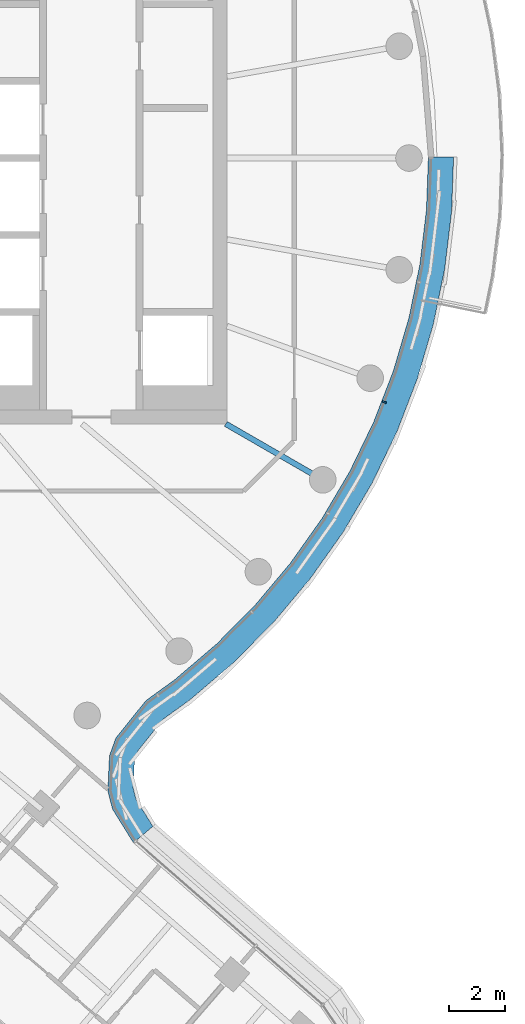
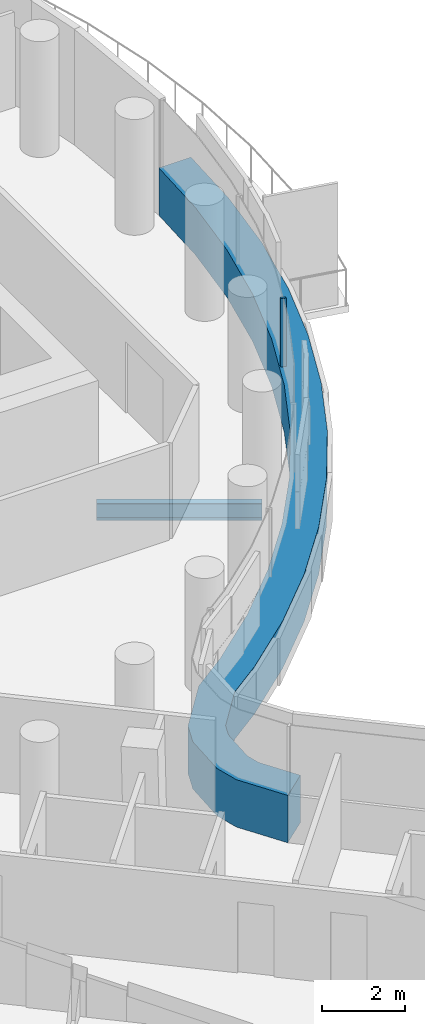
# One storey, part 8 of 32: 2 members, 1 beam, 1 element without a shape of its own.
"""IFC4 building model written with IfcOpenShell, lengths in metres."""

from ifc_helpers import new_model, si_unit, direction, frame, origin, origin_2d, place, context, subcontext, project, spatial, polyline, rectangle, i_section, outline, extrude, material, layer, layer_set, material_profile, profile_set, type_object, element, aggregate, save


model = new_model("IFC4")

# Units and contexts
model_context = context("Model", 3, precision=1e-05, world=origin(), true_north=direction((0.0, 1.0)))
body_context = subcontext(model_context, "Body", "Model", "MODEL_VIEW")
ifc_project = project(units=[si_unit("LENGTHUNIT", "METRE"), si_unit("AREAUNIT", "SQUARE_METRE"), si_unit("VOLUMEUNIT", "CUBIC_METRE"), si_unit("PLANEANGLEUNIT", "RADIAN"), si_unit("MASSUNIT", "GRAM", prefix="KILO")], contexts=[model_context])

# Site, building, storey
site_placement = place(None, origin())
site = spatial("IfcSite", under=ifc_project, at=site_placement, CompositionType="ELEMENT")
building_placement = place(site_placement, origin())
building = spatial("IfcBuilding", under=site, at=building_placement, Name="Tamarind Cross Interchange Tower", CompositionType="ELEMENT")
storey_placement = place(building_placement, frame((0.0, 0.0, 211.300048828125)))
storey = spatial("IfcBuildingStorey", under=building, at=storey_placement, Name="L53", CompositionType="ELEMENT", Elevation=211.300048828125)

# Beam
ifc_material_1 = material(Name="Steel Q355B", Category="steel")
ifc_material_profile_1 = material_profile(ifc_material_1, i_section(OverallWidth=0.198974609375, OverallDepth=0.49609375, WebThickness=0.009033203125, FlangeThickness=0.013916015625, FilletRadius=0.012939453125, at=origin_2d()), Name="HN 496x199x9x14")
ifc_profile_set_1 = profile_set([ifc_material_profile_1], Name="Steel Q355B")
beam_type = type_object("IfcBeamType", Name="Composite beam HN 496x199x9x14 Q355B", PredefinedType="BEAM", material=ifc_profile_set_1)
beam_placement = place(storey_placement, frame((19.918701171875, -11.5, -0.387939453125), z_axis=(-0.866026010844, 0.49999894854, 0.0), x_axis=(-0.49999894854, -0.866026010844, 0.0)))
element("IfcBeam", 1, at=beam_placement, inside=storey, type_object=beam_type, Name="Beam HH33", PredefinedType="BEAM", context=body_context, shape_type="SweptSolid", body=[
    extrude(i_section(OverallWidth=0.198974609375, OverallDepth=0.49609375, WebThickness=0.009033203125, FlangeThickness=0.013916015625, FilletRadius=0.012939453125, at=origin_2d()), origin(), (0.0, 0.0, 1.0), 4.0),
])

# Curtain wall, members
ifc_material_2 = material(Name="Aluminium 6063-T6", Category="aluminium")
ifc_layer = layer(ifc_material_2, 0.139892578125)
ifc_layer_set = layer_set([ifc_layer], Name="Aluminium 6063-T6")
curtain_wall_type = type_object("IfcCurtainWallType", Name="Hotel curtain wall, 4.5 m bays", PredefinedType="NOTDEFINED", material=ifc_layer_set)
curtain_wall_placement = place(storey_placement, origin())
curtain_wall = element("IfcCurtainWall", 2, at=curtain_wall_placement, inside=storey, type_object=curtain_wall_type, Name="CWS-L53-06", PredefinedType="NOTDEFINED")
ifc_material_3 = material(Name="Aluminium and insulated spandrel panel", Category="aluminium")
member_type_1 = type_object("IfcMemberType", Name="Floor-edge blade transom", PredefinedType="USERDEFINED", material=ifc_material_3)
member_1_placement = place(storey_placement, origin())
member_1 = element("IfcMember", 3, at=member_1_placement, type_object=member_type_1, Name="CWT-L53-06-0", ObjectType="TRANSOM", PredefinedType="USERDEFINED", context=body_context, shape_type="SweptSolid", body=[
    extrude(outline(polyline([(13.15478515625, -24.4697265625), (12.407470703125, -23.2666015625), (12.238525390625, -22.6171875), (12.2978515625, -21.354248046875), (12.528076171875, -20.719482421875), (13.6005859375, -19.385498046875), (14.63427734375, -18.63671875), (16.12353515625, -17.3642578125), (17.50244140625, -15.973388671875), (18.76171875, -14.4736328125), (19.892822265625, -12.874755859375), (20.88818359375, -11.188232421875), (21.74072265625, -9.425048828125), (22.444580078125, -7.597412109375), (22.995361328125, -5.718017578125), (23.38916015625, -3.799560546875), (23.623046875, -1.855224609375), (23.69287109375, 0.030517578125), (24.593505859375, 0.031494140625), (24.52099609375, -1.925537109375), (24.2783203125, -3.944091796875), (23.86962890625, -5.935302734375), (23.2978515625, -7.88623046875), (22.567138671875, -9.783203125), (21.68212890625, -11.613525390625), (20.64892578125, -13.3642578125), (19.474853515625, -15.023681640625), (18.167724609375, -16.580810546875), (16.736572265625, -18.0244140625), (15.19140625, -19.344482421875), (14.226318359375, -20.04345703125), (13.3232421875, -21.1669921875), (13.1904296875, -21.532958984375), (13.14404296875, -22.52294921875), (13.244140625, -22.907958984375), (13.848388671875, -23.880859375), (13.15478515625, -24.4697265625)])), origin(), (0.0, 0.0, 1.0), 1.39990234375),
])
ifc_material_profile_2 = material_profile(ifc_material_2, rectangle(XDim=0.06005859375, YDim=0.139892578125, at=origin_2d()), Name="Mullion CW2")
ifc_profile_set_2 = profile_set([ifc_material_profile_2], Name="Aluminium 6063-T6")
member_type_2 = type_object("IfcMemberType", Name="Mullion CW2", PredefinedType="MULLION", material=ifc_profile_set_2)
member_2_placement = place(storey_placement, frame((22.119140625, -8.720458984375, 1.39990234375), z_axis=(0.0, 0.0, 1.0), x_axis=(0.359495435512, 0.933146843667, 0.0)))
member_2 = element("IfcMember", 4, at=member_2_placement, type_object=member_type_2, Name="CWM-L53-06-04", PredefinedType="MULLION", context=body_context, shape_type="SweptSolid", body=[
    extrude(rectangle(XDim=0.06005859375, YDim=0.139892578125, at=origin_2d()), origin(), (0.0, 0.0, 1.0), 2.02001953125),
])
aggregate(curtain_wall, [member_2, member_1])

save(model, "model.ifc")
